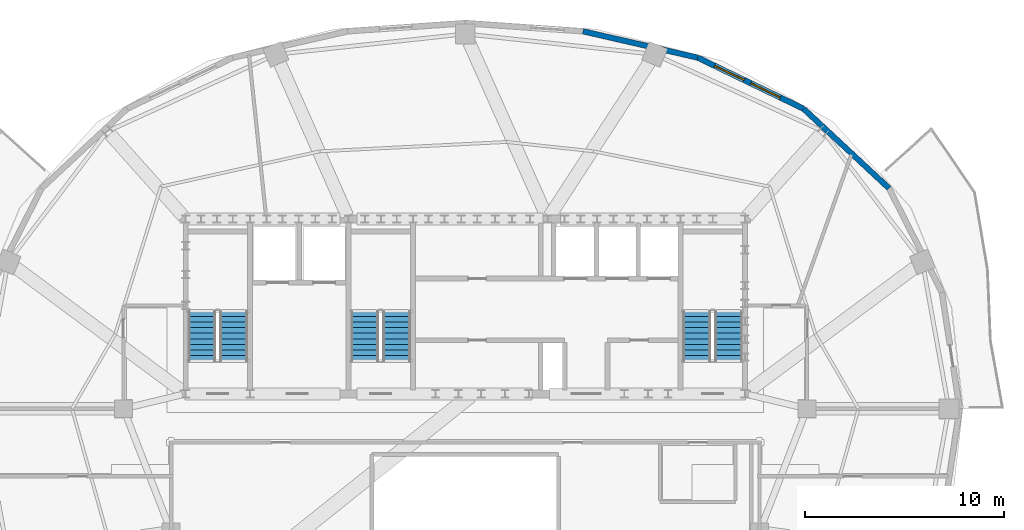
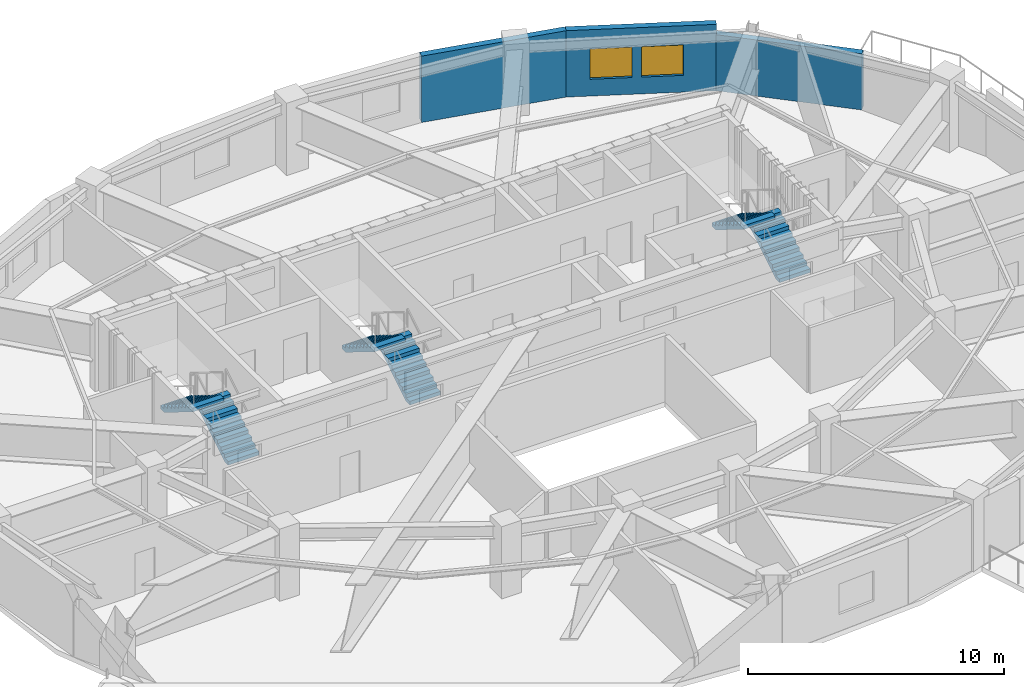
# One storey, part 6 of 10: 6 stair flights, 3 walls, 2 windows, 2 openings, 3 elements without a shape of their own.
"""IFC4 building model written with IfcOpenShell, lengths in metres."""

from ifc_helpers import new_model, si_unit, direction, frame, frame_2d, origin, place, context, subcontext, project, spatial, polyline, rectangle, outline, extrude, material, layer, layer_set, type_object, element, fill, aggregate, save


model = new_model("IFC4")

# Units and contexts
model_context = context("Model", 3, precision=1e-05, world=origin(), true_north=direction((0.0, 1.0)))
body_context = subcontext(model_context, "Body", "Model", "MODEL_VIEW")
ifc_project = project(units=[si_unit("LENGTHUNIT", "METRE"), si_unit("AREAUNIT", "SQUARE_METRE"), si_unit("VOLUMEUNIT", "CUBIC_METRE"), si_unit("PLANEANGLEUNIT", "RADIAN"), si_unit("MASSUNIT", "GRAM", prefix="KILO")], contexts=[model_context])

# Site, building, storey
site_placement = place(None, origin())
site = spatial("IfcSite", under=ifc_project, at=site_placement, CompositionType="ELEMENT")
building_placement = place(site_placement, origin())
building = spatial("IfcBuilding", under=site, at=building_placement, Name="Haldorwick Loom Tower", CompositionType="ELEMENT")
storey_placement = place(building_placement, frame((0.0, 0.0, 269.550048828125)))
storey = spatial("IfcBuildingStorey", under=building, at=storey_placement, Name="L73", CompositionType="ELEMENT", Elevation=269.550048828125)

# Wall
ifc_material_1 = material(Name="Pressed Clay Face Brick and Insulated Masonry Backup Assembly", Category="masonry")
ifc_layer = layer(ifc_material_1, 0.280029296875, Name="Pressed Clay Face Brick and Insulated Masonry Backup Assembly", Category="masonry")
ifc_layer_set = layer_set([ifc_layer], Name="Pressed Clay Face Brick and Insulated Masonry Backup Assembly")
wall_type = type_object("IfcWallType", Name="ARC-WL-EXT280", PredefinedType="STANDARD", material=ifc_layer_set)
wall_1_placement = place(storey_placement, frame((57.322509765625, 37.08984375, 0.0), z_axis=(0.0, 0.0, 1.0), x_axis=(-0.731924682982, 0.68138554317, 0.0)))
element("IfcWall", 1, at=wall_1_placement, inside=storey, type_object=wall_type, Name="L73 Brick Pier and Spandrel Wall 3", PredefinedType="STANDARD", context=body_context, shape_type="SweptSolid", body=[
    extrude(rectangle(XDim=5.87890625, YDim=0.280029296875, at=frame_2d((2.939453125, 0.0))), origin(), (0.0, 0.0, 1.0), 2.678955078125),
])

# Wall, openings, windows
wall_2_placement = place(storey_placement, frame((53.01953125, 41.095703125, 0.0), z_axis=(0.0, 0.0, 1.0), x_axis=(-0.900481907967, 0.434893473651, 0.0)))
wall_2 = element("IfcWall", 2, at=wall_2_placement, inside=storey, type_object=wall_type, Name="L73 Brick Pier and Spandrel Wall 4", PredefinedType="STANDARD", context=body_context, shape_type="SweptSolid", body=[
    extrude(rectangle(XDim=5.90966796875, YDim=0.280029296875, at=frame_2d((2.954833984375, 0.0))), origin(), (0.0, 0.0, 1.0), 3.169921875),
])
opening_1_placement = place(wall_2_placement, frame((1.29443359375, 0.0, 0.800048828125)))
opening_1 = element("IfcOpeningElement", 3, at=opening_1_placement, cuts=wall_2, Name="Opening W-01B", PredefinedType="OPENING", context=body_context, shape_type="SweptSolid", body=[
    extrude(rectangle(XDim=1.64990234375, YDim=1.449951171875, at=frame_2d((0.824951171875, 0.72509765625))), frame((0.0, 0.14990234375, 0.0), z_axis=(0.0, -1.0, 0.0), x_axis=(1.0, 0.0, 0.0)), (0.0, 0.0, 1.0), 0.300048828125),
])
opening_2_placement = place(wall_2_placement, frame((3.311767578125, 0.0, 0.800048828125)))
opening_2 = element("IfcOpeningElement", 4, at=opening_2_placement, cuts=wall_2, Name="Opening W-01B", PredefinedType="OPENING", context=body_context, shape_type="SweptSolid", body=[
    extrude(rectangle(XDim=1.64990234375, YDim=1.449951171875, at=frame_2d((0.824951171875, 0.72509765625))), frame((0.0, 0.14990234375, 0.0), z_axis=(0.0, -1.0, 0.0), x_axis=(1.0, 0.0, 0.0)), (0.0, 0.0, 1.0), 0.300048828125),
])
ifc_material_2 = material(Name="Triple-Glazed Low-E Argon Insulated Glazing Unit", Category="glass")
window_type = type_object("IfcWindowType", Name="ARC-WIN-W165", PartitioningType="SINGLE_PANEL", PredefinedType="WINDOW", material=ifc_material_2)
window_1_placement = place(opening_1_placement, origin())
window_1 = element("IfcWindow", 5, at=window_1_placement, inside=storey, type_object=window_type, Name="L73 Deep-Set Zone 7A Window 4", OverallHeight=1.449951171875, OverallWidth=1.64990234375, PartitioningType="SINGLE_PANEL", PredefinedType="WINDOW", context=body_context, shape_type="SweptSolid", body=[
    extrude(rectangle(XDim=1.64990234375, YDim=1.449951171875, at=frame_2d((0.824951171875, 0.72509765625))), frame((0.0, 0.030029296875, 0.0), z_axis=(0.0, -1.0, 0.0), x_axis=(1.0, 0.0, 0.0)), (0.0, 0.0, 1.0), 0.06005859375),
])
fill(opening_1, window_1)
window_2_placement = place(opening_2_placement, origin())
window_2 = element("IfcWindow", 6, at=window_2_placement, inside=storey, type_object=window_type, Name="L73 Deep-Set Zone 7A Window 4", OverallHeight=1.449951171875, OverallWidth=1.64990234375, PartitioningType="SINGLE_PANEL", PredefinedType="WINDOW", context=body_context, shape_type="SweptSolid", body=[
    extrude(rectangle(XDim=1.64990234375, YDim=1.449951171875, at=frame_2d((0.824951171875, 0.72509765625))), frame((0.0, 0.030029296875, 0.0), z_axis=(0.0, -1.0, 0.0), x_axis=(1.0, 0.0, 0.0)), (0.0, 0.0, 1.0), 0.06005859375),
])
fill(opening_2, window_2)

# Wall
wall_3_placement = place(storey_placement, frame((47.697998046875, 43.665771484375, 0.0), z_axis=(0.0, 0.0, 1.0), x_axis=(-0.974589984037, 0.223996345987, 0.0)))
element("IfcWall", 7, at=wall_3_placement, inside=storey, type_object=wall_type, Name="L73 Brick Pier and Spandrel Wall 5", PredefinedType="STANDARD", context=body_context, shape_type="SweptSolid", body=[
    extrude(rectangle(XDim=5.92919921875, YDim=0.280029296875, at=frame_2d((2.964599609375, 0.0))), origin(), (0.0, 0.0, 1.0), 3.169921875),
])

# Stair, stair flights
ifc_material_3 = material(Name="Concrete C40 (40 MPa)", Category="concrete")
stair_type = type_object("IfcStairType", Name="STR-STR-CORE", PredefinedType="HALF_TURN_STAIR", material=ifc_material_3)
stair_1_placement = place(storey_placement, origin())
stair_1 = element("IfcStair", 8, at=stair_1_placement, inside=storey, type_object=stair_type, Name="L73 Exit Stair ST-01", PredefinedType="HALF_TURN_STAIR")
stair_flight_type = type_object("IfcStairFlightType", Name="STR-STF-1250", PredefinedType="STRAIGHT", material=ifc_material_3)
stair_flight_1_placement = place(storey_placement, frame((24.35009765625, 28.39990234375, 0.0), z_axis=(0.0, 0.0, 1.0), x_axis=(0.0, 1.0, 0.0)))
stair_flight_1 = element("IfcStairFlight", 9, at=stair_flight_1_placement, type_object=stair_flight_type, Name="ST-01 flight 1", NumberOfRisers=10, NumberOfTreads=9, PredefinedType="STRAIGHT", RiserHeight=0.1725, TreadLength=0.28, context=body_context, shape_type="SweptSolid", body=[
    extrude(outline(polyline([(0.0, 0.0), (0.0, 0.172607421875), (0.280029296875, 0.172607421875), (0.280029296875, 0.344970703125), (0.56005859375, 0.344970703125), (0.56005859375, 0.517578125), (0.840087890625, 0.517578125), (0.840087890625, 0.68994140625), (1.1201171875, 0.68994140625), (1.1201171875, 0.862548828125), (1.39990234375, 0.862548828125), (1.39990234375, 1.034912109375), (1.679931640625, 1.034912109375), (1.679931640625, 1.20751953125), (1.9599609375, 1.20751953125), (1.9599609375, 1.3798828125), (2.239990234375, 1.3798828125), (2.239990234375, 1.552490234375), (2.52001953125, 1.552490234375), (2.52001953125, 1.72509765625), (2.52001953125, 1.37646484375), (0.285888671875, 0.0), (0.0, 0.0)])), frame((0.0, 0.699951171875, 0.0), z_axis=(0.0, -1.0, 0.0), x_axis=(1.0, 0.0, 0.0)), (0.0, 0.0, 1.0), 1.39990234375),
])
stair_flight_2_placement = place(storey_placement, frame((22.75, 30.919921875, 1.724853515625), z_axis=(0.0, 0.0, 1.0), x_axis=(0.0, -1.0, 0.0)))
stair_flight_2 = element("IfcStairFlight", 10, at=stair_flight_2_placement, type_object=stair_flight_type, Name="ST-01 flight 2", NumberOfRisers=10, NumberOfTreads=9, PredefinedType="STRAIGHT", RiserHeight=0.1725, TreadLength=0.28, context=body_context, shape_type="SweptSolid", body=[
    extrude(outline(polyline([(0.0, 0.0), (0.0, 0.172607421875), (0.280029296875, 0.172607421875), (0.280029296875, 0.344970703125), (0.56005859375, 0.344970703125), (0.56005859375, 0.517578125), (0.840087890625, 0.517578125), (0.840087890625, 0.68994140625), (1.1201171875, 0.68994140625), (1.1201171875, 0.862548828125), (1.39990234375, 0.862548828125), (1.39990234375, 1.034912109375), (1.679931640625, 1.034912109375), (1.679931640625, 1.20751953125), (1.9599609375, 1.20751953125), (1.9599609375, 1.3798828125), (2.239990234375, 1.3798828125), (2.239990234375, 1.552490234375), (2.52001953125, 1.552490234375), (2.52001953125, 1.72509765625), (2.52001953125, 1.37646484375), (0.285888671875, 0.0), (0.0, 0.0)])), frame((0.0, 0.699951171875, 0.0), z_axis=(0.0, -1.0, 0.0), x_axis=(1.0, 0.0, 0.0)), (0.0, 0.0, 1.0), 1.39990234375),
])
aggregate(stair_1, [stair_flight_1, stair_flight_2])

stair_2_placement = place(storey_placement, origin())
stair_2 = element("IfcStair", 11, at=stair_2_placement, inside=storey, type_object=stair_type, Name="L73 Exit Stair ST-02", PredefinedType="HALF_TURN_STAIR")
stair_flight_3_placement = place(storey_placement, frame((49.25, 28.39990234375, 0.0), z_axis=(0.0, 0.0, 1.0), x_axis=(0.0, 1.0, 0.0)))
stair_flight_3 = element("IfcStairFlight", 12, at=stair_flight_3_placement, type_object=stair_flight_type, Name="ST-02 flight 1", NumberOfRisers=10, NumberOfTreads=9, PredefinedType="STRAIGHT", RiserHeight=0.1725, TreadLength=0.28, context=body_context, shape_type="SweptSolid", body=[
    extrude(outline(polyline([(0.0, 0.0), (0.0, 0.172607421875), (0.280029296875, 0.172607421875), (0.280029296875, 0.344970703125), (0.56005859375, 0.344970703125), (0.56005859375, 0.517578125), (0.840087890625, 0.517578125), (0.840087890625, 0.68994140625), (1.1201171875, 0.68994140625), (1.1201171875, 0.862548828125), (1.39990234375, 0.862548828125), (1.39990234375, 1.034912109375), (1.679931640625, 1.034912109375), (1.679931640625, 1.20751953125), (1.9599609375, 1.20751953125), (1.9599609375, 1.3798828125), (2.239990234375, 1.3798828125), (2.239990234375, 1.552490234375), (2.52001953125, 1.552490234375), (2.52001953125, 1.72509765625), (2.52001953125, 1.37646484375), (0.285888671875, 0.0), (0.0, 0.0)])), frame((0.0, 0.699951171875, 0.0), z_axis=(0.0, -1.0, 0.0), x_axis=(1.0, 0.0, 0.0)), (0.0, 0.0, 1.0), 1.39990234375),
])
stair_flight_4_placement = place(storey_placement, frame((47.64990234375, 30.919921875, 1.724853515625), z_axis=(0.0, 0.0, 1.0), x_axis=(0.0, -1.0, 0.0)))
stair_flight_4 = element("IfcStairFlight", 13, at=stair_flight_4_placement, type_object=stair_flight_type, Name="ST-02 flight 2", NumberOfRisers=10, NumberOfTreads=9, PredefinedType="STRAIGHT", RiserHeight=0.1725, TreadLength=0.28, context=body_context, shape_type="SweptSolid", body=[
    extrude(outline(polyline([(0.0, 0.0), (0.0, 0.172607421875), (0.280029296875, 0.172607421875), (0.280029296875, 0.344970703125), (0.56005859375, 0.344970703125), (0.56005859375, 0.517578125), (0.840087890625, 0.517578125), (0.840087890625, 0.68994140625), (1.1201171875, 0.68994140625), (1.1201171875, 0.862548828125), (1.39990234375, 0.862548828125), (1.39990234375, 1.034912109375), (1.679931640625, 1.034912109375), (1.679931640625, 1.20751953125), (1.9599609375, 1.20751953125), (1.9599609375, 1.3798828125), (2.239990234375, 1.3798828125), (2.239990234375, 1.552490234375), (2.52001953125, 1.552490234375), (2.52001953125, 1.72509765625), (2.52001953125, 1.37646484375), (0.285888671875, 0.0), (0.0, 0.0)])), frame((0.0, 0.699951171875, 0.0), z_axis=(0.0, -1.0, 0.0), x_axis=(1.0, 0.0, 0.0)), (0.0, 0.0, 1.0), 1.39990234375),
])
aggregate(stair_2, [stair_flight_3, stair_flight_4])

stair_3_placement = place(storey_placement, origin())
stair_3 = element("IfcStair", 14, at=stair_3_placement, inside=storey, type_object=stair_type, Name="L73 Exit Stair ST-03", PredefinedType="HALF_TURN_STAIR")
stair_flight_5_placement = place(storey_placement, frame((32.550048828125, 28.39990234375, 0.0), z_axis=(0.0, 0.0, 1.0), x_axis=(0.0, 1.0, 0.0)))
stair_flight_5 = element("IfcStairFlight", 15, at=stair_flight_5_placement, type_object=stair_flight_type, Name="ST-03 flight 1", NumberOfRisers=10, NumberOfTreads=9, PredefinedType="STRAIGHT", RiserHeight=0.1725, TreadLength=0.28, context=body_context, shape_type="SweptSolid", body=[
    extrude(outline(polyline([(0.0, 0.0), (0.0, 0.172607421875), (0.280029296875, 0.172607421875), (0.280029296875, 0.344970703125), (0.56005859375, 0.344970703125), (0.56005859375, 0.517578125), (0.840087890625, 0.517578125), (0.840087890625, 0.68994140625), (1.1201171875, 0.68994140625), (1.1201171875, 0.862548828125), (1.39990234375, 0.862548828125), (1.39990234375, 1.034912109375), (1.679931640625, 1.034912109375), (1.679931640625, 1.20751953125), (1.9599609375, 1.20751953125), (1.9599609375, 1.3798828125), (2.239990234375, 1.3798828125), (2.239990234375, 1.552490234375), (2.52001953125, 1.552490234375), (2.52001953125, 1.72509765625), (2.52001953125, 1.37646484375), (0.285888671875, 0.0), (0.0, 0.0)])), frame((0.0, 0.699951171875, 0.0), z_axis=(0.0, -1.0, 0.0), x_axis=(1.0, 0.0, 0.0)), (0.0, 0.0, 1.0), 1.39990234375),
])
stair_flight_6_placement = place(storey_placement, frame((30.949951171875, 30.919921875, 1.724853515625), z_axis=(0.0, 0.0, 1.0), x_axis=(0.0, -1.0, 0.0)))
stair_flight_6 = element("IfcStairFlight", 16, at=stair_flight_6_placement, type_object=stair_flight_type, Name="ST-03 flight 2", NumberOfRisers=10, NumberOfTreads=9, PredefinedType="STRAIGHT", RiserHeight=0.1725, TreadLength=0.28, context=body_context, shape_type="SweptSolid", body=[
    extrude(outline(polyline([(0.0, 0.0), (0.0, 0.172607421875), (0.280029296875, 0.172607421875), (0.280029296875, 0.344970703125), (0.56005859375, 0.344970703125), (0.56005859375, 0.517578125), (0.840087890625, 0.517578125), (0.840087890625, 0.68994140625), (1.1201171875, 0.68994140625), (1.1201171875, 0.862548828125), (1.39990234375, 0.862548828125), (1.39990234375, 1.034912109375), (1.679931640625, 1.034912109375), (1.679931640625, 1.20751953125), (1.9599609375, 1.20751953125), (1.9599609375, 1.3798828125), (2.239990234375, 1.3798828125), (2.239990234375, 1.552490234375), (2.52001953125, 1.552490234375), (2.52001953125, 1.72509765625), (2.52001953125, 1.37646484375), (0.285888671875, 0.0), (0.0, 0.0)])), frame((0.0, 0.699951171875, 0.0), z_axis=(0.0, -1.0, 0.0), x_axis=(1.0, 0.0, 0.0)), (0.0, 0.0, 1.0), 1.39990234375),
])
aggregate(stair_3, [stair_flight_5, stair_flight_6])

save(model, "model.ifc")
